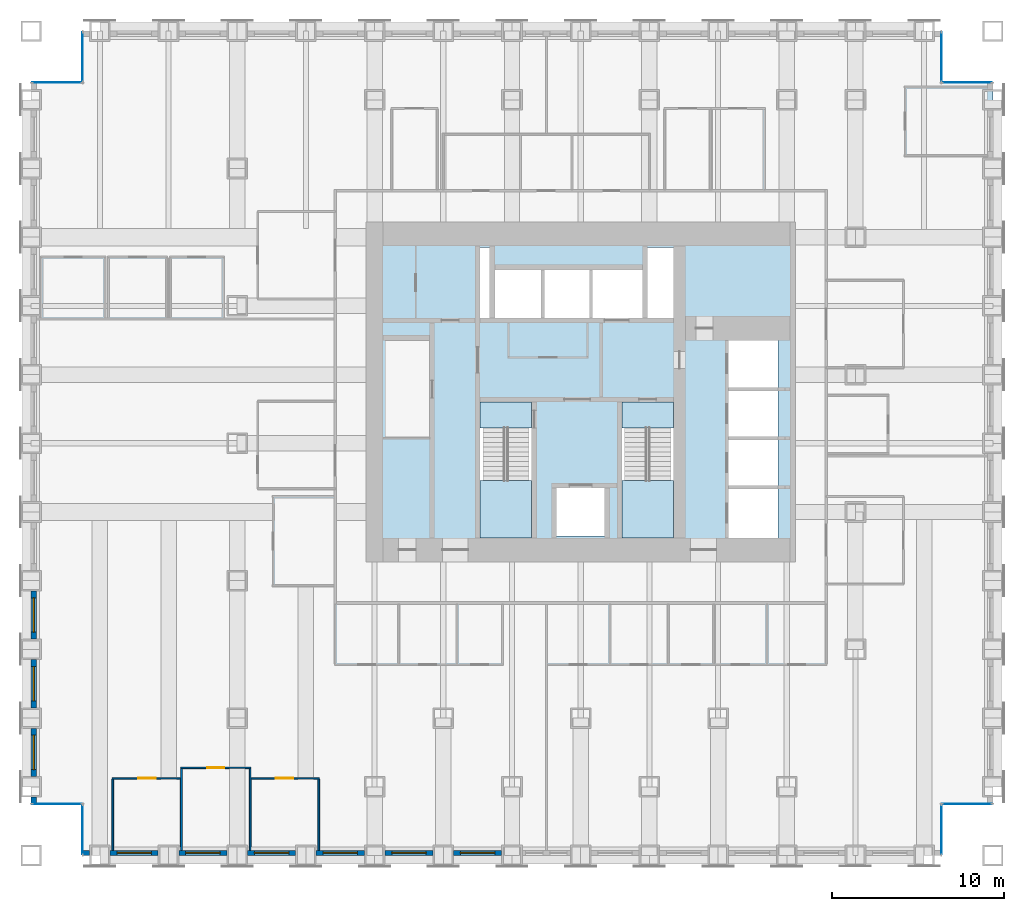
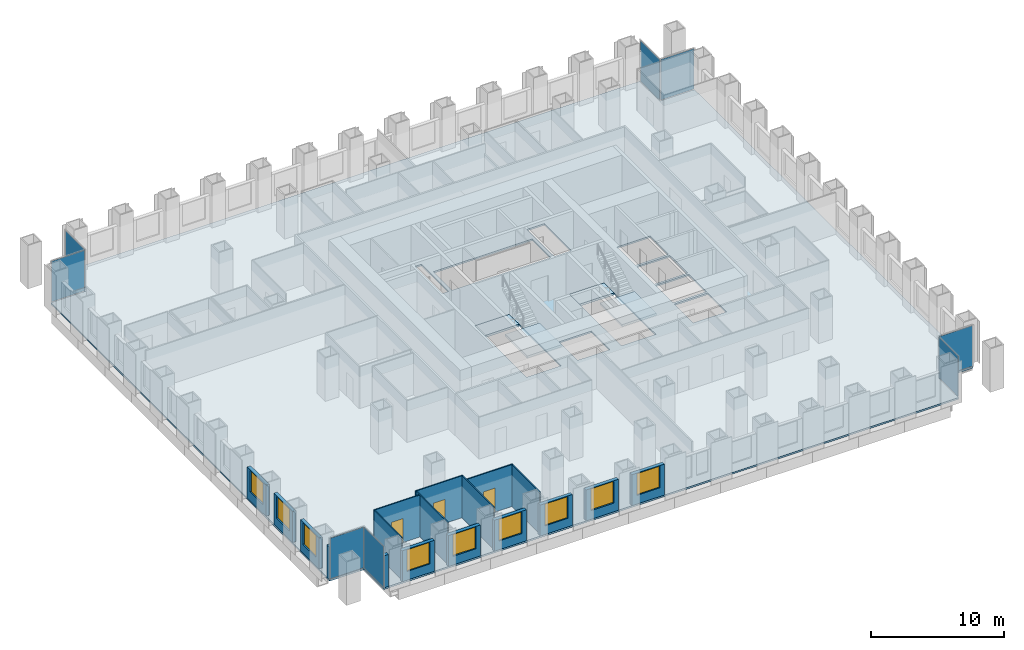
# One storey, part 7 of 14: 18 walls, 9 windows, 8 plates, 5 slabs, 3 doors, 12 openings, 10 elements without a shape of their own.
"""IFC4 building model written with IfcOpenShell, lengths in metres."""

from ifc_helpers import new_model, si_unit, direction, frame, frame_2d, origin, origin_2d, place, context, subcontext, project, spatial, polyline, rectangle, outline, extrude, material, layer, layer_set, type_object, element, fill, aggregate, save


model = new_model("IFC4")

# Units and contexts
model_context = context("Model", 3, precision=1e-05, world=origin(), true_north=direction((0.0, 1.0)))
body_context = subcontext(model_context, "Body", "Model", "MODEL_VIEW")
ifc_project = project(units=[si_unit("LENGTHUNIT", "METRE"), si_unit("AREAUNIT", "SQUARE_METRE"), si_unit("VOLUMEUNIT", "CUBIC_METRE"), si_unit("PLANEANGLEUNIT", "RADIAN"), si_unit("MASSUNIT", "GRAM", prefix="KILO")], contexts=[model_context])

# Site, building, storey
site_placement = place(None, origin())
site = spatial("IfcSite", under=ifc_project, at=site_placement, CompositionType="ELEMENT")
building_placement = place(site_placement, origin())
building = spatial("IfcBuilding", under=site, at=building_placement, Name="Rimbunsela Tower", CompositionType="ELEMENT")
storey_placement = place(building_placement, frame((0.0, 0.0, 63.0)))
storey = spatial("IfcBuildingStorey", under=building, at=storey_placement, Name="L15", CompositionType="ELEMENT", Elevation=63.0)

# Slab
ifc_material_1 = material(Name="Concrete fc' 35 MPa", Category="concrete")
ifc_layer_1 = layer(ifc_material_1, 0.14990234375)
ifc_layer_set_1 = layer_set([ifc_layer_1], Name="Floor slab 150")
slab_type_1 = type_object("IfcSlabType", Name="Floor slab 150", PredefinedType="FLOOR", material=ifc_layer_set_1)
slab_1_placement = place(storey_placement, frame((0.0, 0.0, -0.14990234375)))
element("IfcSlab", 1, at=slab_1_placement, inside=storey, type_object=slab_type_1, Name="Floor slab L15", PredefinedType="FLOOR", context=body_context, shape_type="SweptSolid", body=[
    extrude(outline(polyline([(1.0, 0.0), (51.0, 0.0), (51.0, 3.0), (54.0, 3.0), (54.0, 45.0), (51.0, 45.0), (51.0, 48.0), (1.0, 48.0), (1.0, 45.0), (-2.0, 45.0), (-2.0, 3.0), (1.0, 3.0), (1.0, 0.0)]), holes=[polyline([(27.14990234375, 18.60009765625), (27.14990234375, 26.39990234375), (24.14990234375, 26.39990234375), (24.14990234375, 18.60009765625), (27.14990234375, 18.60009765625)]), polyline([(24.699951171875, 31.300048828125), (24.699951171875, 35.39990234375), (24.14990234375, 35.39990234375), (24.14990234375, 31.300048828125), (24.699951171875, 31.300048828125)]), polyline([(25.0, 34.10009765625), (25.0, 31.300048828125), (33.60009765625, 31.300048828125), (33.60009765625, 34.10009765625), (25.0, 34.10009765625)]), polyline([(31.39990234375, 21.39990234375), (28.60009765625, 21.39990234375), (28.60009765625, 18.60009765625), (31.39990234375, 18.60009765625), (31.39990234375, 21.39990234375)]), polyline([(35.39990234375, 18.60009765625), (35.39990234375, 26.39990234375), (32.39990234375, 26.39990234375), (32.39990234375, 18.60009765625), (35.39990234375, 18.60009765625)]), polyline([(35.39990234375, 31.300048828125), (35.39990234375, 35.39990234375), (33.89990234375, 35.39990234375), (33.89990234375, 31.300048828125), (35.39990234375, 31.300048828125)]), polyline([(41.5, 21.35009765625), (38.60009765625, 21.35009765625), (38.60009765625, 18.5), (41.5, 18.5), (41.5, 21.35009765625)]), polyline([(41.5, 21.550048828125), (41.5, 24.199951171875), (38.60009765625, 24.199951171875), (38.60009765625, 21.550048828125), (41.5, 21.550048828125)]), polyline([(41.5, 27.050048828125), (38.60009765625, 27.050048828125), (38.60009765625, 24.39990234375), (41.5, 24.39990234375), (41.5, 27.050048828125)]), polyline([(41.5, 27.25), (41.5, 30.0), (38.60009765625, 30.0), (38.60009765625, 27.25), (41.5, 27.25)])]), origin(), (0.0, 0.0, 1.0), 0.14990234375),
])

# Curtain wall, plate
ifc_material_2 = material(Name="Aluminium curtain wall", Category="aluminium")
curtain_wall_type = type_object("IfcCurtainWallType", Name="Corner glazing", PredefinedType="USERDEFINED", material=ifc_material_2)
curtain_wall_1_placement = place(storey_placement, origin())
curtain_wall_1 = element("IfcCurtainWall", 2, at=curtain_wall_1_placement, inside=storey, type_object=curtain_wall_type, Name="Corner glazing L15", ObjectType="CORNER GLAZING", PredefinedType="USERDEFINED")
ifc_material_3 = material(Name="Clear double glazing", Category="glass")
ifc_layer_2 = layer(ifc_material_3, 0.028076171875)
ifc_layer_set_2 = layer_set([ifc_layer_2], Name="Glazed panel clear")
plate_type = type_object("IfcPlateType", Name="Glazed panel clear", PredefinedType="CURTAIN_PANEL", material=ifc_layer_set_2)
plate_1_placement = place(storey_placement, frame((51.0, 1.5, 0.06005859375), z_axis=(0.0, 0.0, 1.0), x_axis=(0.0, 1.0, 0.0)))
plate_1 = element("IfcPlate", 3, at=plate_1_placement, type_object=plate_type, Name="CW5 panel 1.1", PredefinedType="CURTAIN_PANEL", context=body_context, shape_type="SweptSolid", body=[
    extrude(rectangle(XDim=2.8798828125, YDim=0.028076171875, at=origin_2d()), origin(), (0.0, 0.0, 1.0), 3.72998046875),
])
aggregate(curtain_wall_1, [plate_1])

curtain_wall_2_placement = place(storey_placement, origin())
curtain_wall_2 = element("IfcCurtainWall", 4, at=curtain_wall_2_placement, inside=storey, type_object=curtain_wall_type, Name="Corner glazing L15", ObjectType="CORNER GLAZING", PredefinedType="USERDEFINED")
plate_2_placement = place(storey_placement, frame((52.5, 3.0, 0.06005859375), z_axis=(0.0, 0.0, 1.0), x_axis=(1.0, 0.0, 0.0)))
plate_2 = element("IfcPlate", 5, at=plate_2_placement, type_object=plate_type, Name="CW5 panel 1.1", PredefinedType="CURTAIN_PANEL", context=body_context, shape_type="SweptSolid", body=[
    extrude(rectangle(XDim=2.8798828125, YDim=0.028076171875, at=origin_2d()), origin(), (0.0, 0.0, 1.0), 3.72998046875),
])
aggregate(curtain_wall_2, [plate_2])

curtain_wall_3_placement = place(storey_placement, origin())
curtain_wall_3 = element("IfcCurtainWall", 6, at=curtain_wall_3_placement, inside=storey, type_object=curtain_wall_type, Name="Corner glazing L15", ObjectType="CORNER GLAZING", PredefinedType="USERDEFINED")
plate_3_placement = place(storey_placement, frame((52.5, 45.0, 0.06005859375), z_axis=(0.0, 0.0, 1.0), x_axis=(-1.0, 0.0, 0.0)))
plate_3 = element("IfcPlate", 7, at=plate_3_placement, type_object=plate_type, Name="CW5 panel 1.1", PredefinedType="CURTAIN_PANEL", context=body_context, shape_type="SweptSolid", body=[
    extrude(rectangle(XDim=2.8798828125, YDim=0.028076171875, at=origin_2d()), origin(), (0.0, 0.0, 1.0), 3.72998046875),
])
aggregate(curtain_wall_3, [plate_3])

curtain_wall_4_placement = place(storey_placement, origin())
curtain_wall_4 = element("IfcCurtainWall", 8, at=curtain_wall_4_placement, inside=storey, type_object=curtain_wall_type, Name="Corner glazing L15", ObjectType="CORNER GLAZING", PredefinedType="USERDEFINED")
plate_4_placement = place(storey_placement, frame((51.0, 46.5, 0.06005859375), z_axis=(0.0, 0.0, 1.0), x_axis=(0.0, 1.0, 0.0)))
plate_4 = element("IfcPlate", 9, at=plate_4_placement, type_object=plate_type, Name="CW5 panel 1.1", PredefinedType="CURTAIN_PANEL", context=body_context, shape_type="SweptSolid", body=[
    extrude(rectangle(XDim=2.8798828125, YDim=0.028076171875, at=origin_2d()), origin(), (0.0, 0.0, 1.0), 3.72998046875),
])
aggregate(curtain_wall_4, [plate_4])

curtain_wall_5_placement = place(storey_placement, origin())
curtain_wall_5 = element("IfcCurtainWall", 10, at=curtain_wall_5_placement, inside=storey, type_object=curtain_wall_type, Name="Corner glazing L15", ObjectType="CORNER GLAZING", PredefinedType="USERDEFINED")
plate_5_placement = place(storey_placement, frame((1.0, 46.5, 0.06005859375), z_axis=(0.0, 0.0, 1.0), x_axis=(0.0, -1.0, 0.0)))
plate_5 = element("IfcPlate", 11, at=plate_5_placement, type_object=plate_type, Name="CW5 panel 1.1", PredefinedType="CURTAIN_PANEL", context=body_context, shape_type="SweptSolid", body=[
    extrude(rectangle(XDim=2.8798828125, YDim=0.028076171875, at=origin_2d()), origin(), (0.0, 0.0, 1.0), 3.72998046875),
])
aggregate(curtain_wall_5, [plate_5])

curtain_wall_6_placement = place(storey_placement, origin())
curtain_wall_6 = element("IfcCurtainWall", 12, at=curtain_wall_6_placement, inside=storey, type_object=curtain_wall_type, Name="Corner glazing L15", ObjectType="CORNER GLAZING", PredefinedType="USERDEFINED")
plate_6_placement = place(storey_placement, frame((-0.5, 45.0, 0.06005859375), z_axis=(0.0, 0.0, 1.0), x_axis=(-1.0, 0.0, 0.0)))
plate_6 = element("IfcPlate", 13, at=plate_6_placement, type_object=plate_type, Name="CW5 panel 1.1", PredefinedType="CURTAIN_PANEL", context=body_context, shape_type="SweptSolid", body=[
    extrude(rectangle(XDim=2.8798828125, YDim=0.028076171875, at=origin_2d()), origin(), (0.0, 0.0, 1.0), 3.72998046875),
])
aggregate(curtain_wall_6, [plate_6])

curtain_wall_7_placement = place(storey_placement, origin())
curtain_wall_7 = element("IfcCurtainWall", 14, at=curtain_wall_7_placement, inside=storey, type_object=curtain_wall_type, Name="Corner glazing L15", ObjectType="CORNER GLAZING", PredefinedType="USERDEFINED")
plate_7_placement = place(storey_placement, frame((-0.5, 3.0, 0.06005859375), z_axis=(0.0, 0.0, 1.0), x_axis=(1.0, 0.0, 0.0)))
plate_7 = element("IfcPlate", 15, at=plate_7_placement, type_object=plate_type, Name="CW5 panel 1.1", PredefinedType="CURTAIN_PANEL", context=body_context, shape_type="SweptSolid", body=[
    extrude(rectangle(XDim=2.8798828125, YDim=0.028076171875, at=origin_2d()), origin(), (0.0, 0.0, 1.0), 3.72998046875),
])
aggregate(curtain_wall_7, [plate_7])

curtain_wall_8_placement = place(storey_placement, origin())
curtain_wall_8 = element("IfcCurtainWall", 16, at=curtain_wall_8_placement, inside=storey, type_object=curtain_wall_type, Name="Corner glazing L15", ObjectType="CORNER GLAZING", PredefinedType="USERDEFINED")
plate_8_placement = place(storey_placement, frame((1.0, 1.5, 0.06005859375), z_axis=(0.0, 0.0, 1.0), x_axis=(0.0, -1.0, 0.0)))
plate_8 = element("IfcPlate", 17, at=plate_8_placement, type_object=plate_type, Name="CW5 panel 1.1", PredefinedType="CURTAIN_PANEL", context=body_context, shape_type="SweptSolid", body=[
    extrude(rectangle(XDim=2.8798828125, YDim=0.028076171875, at=origin_2d()), origin(), (0.0, 0.0, 1.0), 3.72998046875),
])
aggregate(curtain_wall_8, [plate_8])

# Stair, slabs
ifc_material_4 = material(Name="Concrete fc' 35 MPa", Category="concrete")
stair_type = type_object("IfcStairType", Name="Exit stair 24 risers", PredefinedType="HALF_TURN_STAIR", material=ifc_material_4)
stair_1_placement = place(storey_placement, origin())
stair_1 = element("IfcStair", 18, at=stair_1_placement, inside=storey, type_object=stair_type, Name="Exit stair A L15", PredefinedType="HALF_TURN_STAIR")
ifc_material_5 = material(Name="Concrete fc' 35 MPa", Category="concrete")
ifc_layer_3 = layer(ifc_material_5, 0.199951171875)
ifc_layer_set_3 = layer_set([ifc_layer_3], Name="Stair landing 200")
slab_type_2 = type_object("IfcSlabType", Name="Stair landing 200", PredefinedType="LANDING", material=ifc_layer_set_3)
slab_2_placement = place(storey_placement, frame((0.0, 0.0, -0.199951171875)))
slab_2 = element("IfcSlab", 19, at=slab_2_placement, type_object=slab_type_2, Name="ST-A landing 1", PredefinedType="LANDING", context=body_context, shape_type="SweptSolid", body=[
    extrude(outline(polyline([(24.14990234375, 24.89990234375), (27.14990234375, 24.89990234375), (27.14990234375, 26.39990234375), (24.14990234375, 26.39990234375), (24.14990234375, 24.89990234375)])), origin(), (0.0, 0.0, 1.0), 0.199951171875),
])
slab_3_placement = place(storey_placement, frame((0.0, 0.0, 1.800048828125)))
slab_3 = element("IfcSlab", 20, at=slab_3_placement, type_object=slab_type_2, Name="ST-A landing 2", PredefinedType="LANDING", context=body_context, shape_type="SweptSolid", body=[
    extrude(outline(polyline([(24.14990234375, 18.5), (27.14990234375, 18.5), (27.14990234375, 21.820068359375), (24.14990234375, 21.820068359375), (24.14990234375, 18.5)])), origin(), (0.0, 0.0, 1.0), 0.199951171875),
])
aggregate(stair_1, [slab_2, slab_3])

stair_2_placement = place(storey_placement, origin())
stair_2 = element("IfcStair", 21, at=stair_2_placement, inside=storey, type_object=stair_type, Name="Exit stair B L15", PredefinedType="HALF_TURN_STAIR")
slab_4_placement = place(storey_placement, frame((0.0, 0.0, -0.199951171875)))
slab_4 = element("IfcSlab", 22, at=slab_4_placement, type_object=slab_type_2, Name="ST-B landing 1", PredefinedType="LANDING", context=body_context, shape_type="SweptSolid", body=[
    extrude(outline(polyline([(32.39990234375, 24.89990234375), (35.39990234375, 24.89990234375), (35.39990234375, 26.39990234375), (32.39990234375, 26.39990234375), (32.39990234375, 24.89990234375)])), origin(), (0.0, 0.0, 1.0), 0.199951171875),
])
slab_5_placement = place(storey_placement, frame((0.0, 0.0, 1.800048828125)))
slab_5 = element("IfcSlab", 23, at=slab_5_placement, type_object=slab_type_2, Name="ST-B landing 2", PredefinedType="LANDING", context=body_context, shape_type="SweptSolid", body=[
    extrude(outline(polyline([(32.39990234375, 18.5), (35.39990234375, 18.5), (35.39990234375, 21.820068359375), (32.39990234375, 21.820068359375), (32.39990234375, 18.5)])), origin(), (0.0, 0.0, 1.0), 0.199951171875),
])
aggregate(stair_2, [slab_4, slab_5])

# Wall, opening, door
ifc_material_6 = material(Name="Gypsum board on steel studs", Category="steel")
ifc_layer_4 = layer(ifc_material_6, 0.10009765625)
ifc_layer_set_4 = layer_set([ifc_layer_4], Name="Office partition 100")
wall_type_1 = type_object("IfcWallType", Name="Office partition 100", PredefinedType="PARTITIONING", material=ifc_layer_set_4)
wall_1_placement = place(storey_placement, frame((2.699951171875, 4.5, 0.0), z_axis=(0.0, 0.0, 1.0), x_axis=(1.0, 0.0, 0.0)))
wall_1 = element("IfcWall", 24, at=wall_1_placement, inside=storey, type_object=wall_type_1, Name="Office partition", PredefinedType="PARTITIONING", context=body_context, shape_type="SweptSolid", body=[
    extrude(rectangle(XDim=4.0, YDim=0.10009765625, at=frame_2d((2.0, 0.0))), origin(), (0.0, 0.0, 1.0), 3.85009765625),
])
opening_1_placement = place(wall_1_placement, frame((1.550048828125, 0.0, 0.0)))
opening_1 = element("IfcOpeningElement", 25, at=opening_1_placement, cuts=wall_1, Name="Opening D16", PredefinedType="OPENING", context=body_context, shape_type="SweptSolid", body=[
    extrude(rectangle(XDim=1.0, YDim=2.199951171875, at=frame_2d((0.5, 1.10009765625))), frame((0.0, 0.06005859375, 0.0), z_axis=(0.0, -1.0, 0.0), x_axis=(1.0, 0.0, 0.0)), (0.0, 0.0, 1.0), 0.1201171875),
])
ifc_material_7 = material(Name="Timber door", Category="wood")
door_type_1 = type_object("IfcDoorType", Name="Office door 1000", OperationType="SINGLE_SWING_LEFT", PredefinedType="DOOR", material=ifc_material_7)
door_1_placement = place(opening_1_placement, origin())
door_1 = element("IfcDoor", 26, at=door_1_placement, inside=storey, type_object=door_type_1, Name="Office door", OperationType="SINGLE_SWING_LEFT", OverallHeight=2.199951171875, OverallWidth=1.0, PredefinedType="DOOR", context=body_context, shape_type="SweptSolid", body=[
    extrude(rectangle(XDim=1.0, YDim=2.199951171875, at=frame_2d((0.5, 1.10009765625))), frame((0.0, 0.02490234375, 0.0), z_axis=(0.0, -1.0, 0.0), x_axis=(1.0, 0.0, 0.0)), (0.0, 0.0, 1.0), 0.050048828125),
])
fill(opening_1, door_1)

wall_2_placement = place(storey_placement, frame((10.800048828125, 4.5, 0.0), z_axis=(0.0, 0.0, 1.0), x_axis=(1.0, 0.0, 0.0)))
wall_2 = element("IfcWall", 27, at=wall_2_placement, inside=storey, type_object=wall_type_1, Name="Office partition", PredefinedType="PARTITIONING", context=body_context, shape_type="SweptSolid", body=[
    extrude(rectangle(XDim=4.0, YDim=0.10009765625, at=frame_2d((2.0, 0.0))), origin(), (0.0, 0.0, 1.0), 3.85009765625),
])
opening_2_placement = place(wall_2_placement, frame((1.449951171875, 0.0, 0.0)))
opening_2 = element("IfcOpeningElement", 28, at=opening_2_placement, cuts=wall_2, Name="Opening D16", PredefinedType="OPENING", context=body_context, shape_type="SweptSolid", body=[
    extrude(rectangle(XDim=1.0, YDim=2.199951171875, at=frame_2d((0.5, 1.10009765625))), frame((0.0, 0.06005859375, 0.0), z_axis=(0.0, -1.0, 0.0), x_axis=(1.0, 0.0, 0.0)), (0.0, 0.0, 1.0), 0.1201171875),
])
door_2_placement = place(opening_2_placement, origin())
door_2 = element("IfcDoor", 29, at=door_2_placement, inside=storey, type_object=door_type_1, Name="Office door", OperationType="SINGLE_SWING_LEFT", OverallHeight=2.199951171875, OverallWidth=1.0, PredefinedType="DOOR", context=body_context, shape_type="SweptSolid", body=[
    extrude(rectangle(XDim=1.0, YDim=2.199951171875, at=frame_2d((0.5, 1.10009765625))), frame((0.0, 0.02490234375, 0.0), z_axis=(0.0, -1.0, 0.0), x_axis=(1.0, 0.0, 0.0)), (0.0, 0.0, 1.0), 0.050048828125),
])
fill(opening_2, door_2)

wall_3_placement = place(storey_placement, frame((6.699951171875, 5.10009765625, 0.0), z_axis=(0.0, 0.0, 1.0), x_axis=(1.0, 0.0, 0.0)))
wall_3 = element("IfcWall", 30, at=wall_3_placement, inside=storey, type_object=wall_type_1, Name="Office partition", PredefinedType="PARTITIONING", context=body_context, shape_type="SweptSolid", body=[
    extrude(rectangle(XDim=4.10009765625, YDim=0.10009765625, at=frame_2d((2.050048828125, 0.0))), origin(), (0.0, 0.0, 1.0), 3.85009765625),
])
opening_3_placement = place(wall_3_placement, frame((1.550048828125, 0.0, 0.0)))
opening_3 = element("IfcOpeningElement", 31, at=opening_3_placement, cuts=wall_3, Name="Opening D17", PredefinedType="OPENING", context=body_context, shape_type="SweptSolid", body=[
    extrude(rectangle(XDim=1.0, YDim=2.199951171875, at=frame_2d((0.5, 1.10009765625))), frame((0.0, 0.06005859375, 0.0), z_axis=(0.0, -1.0, 0.0), x_axis=(1.0, 0.0, 0.0)), (0.0, 0.0, 1.0), 0.1201171875),
])
ifc_material_8 = material(Name="Glazed aluminium door", Category="aluminium")
door_type_2 = type_object("IfcDoorType", Name="Meeting room door 1000 glazed", OperationType="SINGLE_SWING_RIGHT", PredefinedType="DOOR", material=ifc_material_8)
door_3_placement = place(opening_3_placement, origin())
door_3 = element("IfcDoor", 32, at=door_3_placement, inside=storey, type_object=door_type_2, Name="Meeting room door", OperationType="SINGLE_SWING_RIGHT", OverallHeight=2.199951171875, OverallWidth=1.0, PredefinedType="DOOR", context=body_context, shape_type="SweptSolid", body=[
    extrude(rectangle(XDim=1.0, YDim=2.199951171875, at=frame_2d((0.5, 1.10009765625))), frame((0.0, 0.02490234375, 0.0), z_axis=(0.0, -1.0, 0.0), x_axis=(1.0, 0.0, 0.0)), (0.0, 0.0, 1.0), 0.050048828125),
])
fill(opening_3, door_3)

# Walls
wall_4_placement = place(storey_placement, frame((2.75, 0.300048828125, 0.0), z_axis=(0.0, 0.0, 1.0), x_axis=(0.0, 1.0, 0.0)))
element("IfcWall", 33, at=wall_4_placement, inside=storey, type_object=wall_type_1, Name="Office partition", PredefinedType="PARTITIONING", context=body_context, shape_type="SweptSolid", body=[
    extrude(rectangle(XDim=4.14990234375, YDim=0.10009765625, at=frame_2d((2.074951171875, 0.0))), origin(), (0.0, 0.0, 1.0), 3.85009765625),
])
for number, where, z_axis, x_axis, name in (
    (34, (6.75, 0.300048828125, 0.0), (0.0, 0.0, 1.0), (0.0, 1.0, 0.0), "Office partition"),
    (35, (10.75, 0.300048828125, 0.0), (0.0, 0.0, 1.0), (0.0, 1.0, 0.0), "Office partition"),
):
    element("IfcWall", number, at=place(storey_placement, frame(where, z_axis=z_axis, x_axis=x_axis)), inside=storey, type_object=wall_type_1, Name=name, PredefinedType="PARTITIONING", context=body_context, shape_type="SweptSolid", body=[
        extrude(rectangle(XDim=4.75, YDim=0.10009765625, at=frame_2d((2.375, 0.0))), origin(), (0.0, 0.0, 1.0), 3.85009765625),
    ])
wall_5_placement = place(storey_placement, frame((14.75, 0.300048828125, 0.0), z_axis=(0.0, 0.0, 1.0), x_axis=(0.0, 1.0, 0.0)))
element("IfcWall", 36, at=wall_5_placement, inside=storey, type_object=wall_type_1, Name="Office partition", PredefinedType="PARTITIONING", context=body_context, shape_type="SweptSolid", body=[
    extrude(rectangle(XDim=4.14990234375, YDim=0.10009765625, at=frame_2d((2.074951171875, 0.0))), origin(), (0.0, 0.0, 1.0), 3.85009765625),
])
ifc_material_9 = material(Name="Precast concrete fc' 35 MPa", Category="concrete")
ifc_layer_5 = layer(ifc_material_9, 0.300048828125)
ifc_layer_set_5 = layer_set([ifc_layer_5], Name="Precast concrete fc' 35 MPa")
wall_type_2 = type_object("IfcWallType", Name="Precast facade panel 300", PredefinedType="ELEMENTEDWALL", material=ifc_layer_set_5)
wall_6_placement = place(storey_placement, frame((1.030029296875, 0.14990234375, 0.0), z_axis=(0.0, 0.0, 1.0), x_axis=(1.0, 0.0, 0.0)))
element("IfcWall", 37, at=wall_6_placement, inside=storey, type_object=wall_type_2, Name="Facade panel S L15", PredefinedType="ELEMENTEDWALL", context=body_context, shape_type="SweptSolid", body=[
    extrude(rectangle(XDim=0.369873046875, YDim=0.300048828125, at=frame_2d((0.18505859375, 0.0))), origin(), (0.0, 0.0, 1.0), 2.949951171875),
])

# Wall, opening, window
wall_7_placement = place(storey_placement, frame((2.60009765625, 0.14990234375, 0.0), z_axis=(0.0, 0.0, 1.0), x_axis=(1.0, 0.0, 0.0)))
wall_7 = element("IfcWall", 38, at=wall_7_placement, inside=storey, type_object=wall_type_2, Name="Facade panel S L15", PredefinedType="ELEMENTEDWALL", context=body_context, shape_type="SweptSolid", body=[
    extrude(rectangle(XDim=2.7998046875, YDim=0.300048828125, at=frame_2d((1.39990234375, 0.0))), origin(), (0.0, 0.0, 1.0), 2.85009765625),
])
opening_4_placement = place(wall_7_placement, frame((0.39990234375, 0.0, 0.800048828125)))
opening_4 = element("IfcOpeningElement", 39, at=opening_4_placement, cuts=wall_7, Name="Opening W1", PredefinedType="OPENING", context=body_context, shape_type="SweptSolid", body=[
    extrude(rectangle(XDim=2.0, YDim=2.0, at=frame_2d((1.0, 1.0))), frame((0.0, 0.159912109375, 0.0), z_axis=(0.0, -1.0, 0.0), x_axis=(1.0, 0.0, 0.0)), (0.0, 0.0, 1.0), 0.320068359375),
])
ifc_material_10 = material(Name="Clear glass in aluminium frame", Category="aluminium")
window_type = type_object("IfcWindowType", Name="Window W1 2000x2000", PartitioningType="DOUBLE_PANEL_VERTICAL", PredefinedType="WINDOW", material=ifc_material_10)
window_1_placement = place(opening_4_placement, origin())
window_1 = element("IfcWindow", 40, at=window_1_placement, inside=storey, type_object=window_type, Name="Window L15", OverallHeight=2.0, OverallWidth=2.0, PartitioningType="SINGLE_PANEL", PredefinedType="WINDOW", context=body_context, shape_type="SweptSolid", body=[
    extrude(rectangle(XDim=2.0, YDim=2.0, at=frame_2d((1.0, 1.0))), frame((0.0, 0.030029296875, 0.0), z_axis=(0.0, -1.0, 0.0), x_axis=(1.0, 0.0, 0.0)), (0.0, 0.0, 1.0), 0.06005859375),
])
fill(opening_4, window_1)

wall_8_placement = place(storey_placement, frame((6.60009765625, 0.14990234375, 0.0), z_axis=(0.0, 0.0, 1.0), x_axis=(1.0, 0.0, 0.0)))
wall_8 = element("IfcWall", 41, at=wall_8_placement, inside=storey, type_object=wall_type_2, Name="Facade panel S L15", PredefinedType="ELEMENTEDWALL", context=body_context, shape_type="SweptSolid", body=[
    extrude(rectangle(XDim=2.7998046875, YDim=0.300048828125, at=frame_2d((1.39990234375, 0.0))), origin(), (0.0, 0.0, 1.0), 2.85009765625),
])
opening_5_placement = place(wall_8_placement, frame((0.39990234375, 0.0, 0.800048828125)))
opening_5 = element("IfcOpeningElement", 42, at=opening_5_placement, cuts=wall_8, Name="Opening W1", PredefinedType="OPENING", context=body_context, shape_type="SweptSolid", body=[
    extrude(rectangle(XDim=2.0, YDim=2.0, at=frame_2d((1.0, 1.0))), frame((0.0, 0.159912109375, 0.0), z_axis=(0.0, -1.0, 0.0), x_axis=(1.0, 0.0, 0.0)), (0.0, 0.0, 1.0), 0.320068359375),
])
window_2_placement = place(opening_5_placement, origin())
window_2 = element("IfcWindow", 43, at=window_2_placement, inside=storey, type_object=window_type, Name="Window L15", OverallHeight=2.0, OverallWidth=2.0, PartitioningType="SINGLE_PANEL", PredefinedType="WINDOW", context=body_context, shape_type="SweptSolid", body=[
    extrude(rectangle(XDim=2.0, YDim=2.0, at=frame_2d((1.0, 1.0))), frame((0.0, 0.030029296875, 0.0), z_axis=(0.0, -1.0, 0.0), x_axis=(1.0, 0.0, 0.0)), (0.0, 0.0, 1.0), 0.06005859375),
])
fill(opening_5, window_2)

wall_9_placement = place(storey_placement, frame((10.60009765625, 0.14990234375, 0.0), z_axis=(0.0, 0.0, 1.0), x_axis=(1.0, 0.0, 0.0)))
wall_9 = element("IfcWall", 44, at=wall_9_placement, inside=storey, type_object=wall_type_2, Name="Facade panel S L15", PredefinedType="ELEMENTEDWALL", context=body_context, shape_type="SweptSolid", body=[
    extrude(rectangle(XDim=2.7998046875, YDim=0.300048828125, at=frame_2d((1.39990234375, 0.0))), origin(), (0.0, 0.0, 1.0), 2.85009765625),
])
opening_6_placement = place(wall_9_placement, frame((0.39990234375, 0.0, 0.800048828125)))
opening_6 = element("IfcOpeningElement", 45, at=opening_6_placement, cuts=wall_9, Name="Opening W1", PredefinedType="OPENING", context=body_context, shape_type="SweptSolid", body=[
    extrude(rectangle(XDim=2.0, YDim=2.0, at=frame_2d((1.0, 1.0))), frame((0.0, 0.159912109375, 0.0), z_axis=(0.0, -1.0, 0.0), x_axis=(1.0, 0.0, 0.0)), (0.0, 0.0, 1.0), 0.320068359375),
])
window_3_placement = place(opening_6_placement, origin())
window_3 = element("IfcWindow", 46, at=window_3_placement, inside=storey, type_object=window_type, Name="Window L15", OverallHeight=2.0, OverallWidth=2.0, PartitioningType="SINGLE_PANEL", PredefinedType="WINDOW", context=body_context, shape_type="SweptSolid", body=[
    extrude(rectangle(XDim=2.0, YDim=2.0, at=frame_2d((1.0, 1.0))), frame((0.0, 0.030029296875, 0.0), z_axis=(0.0, -1.0, 0.0), x_axis=(1.0, 0.0, 0.0)), (0.0, 0.0, 1.0), 0.06005859375),
])
fill(opening_6, window_3)

wall_10_placement = place(storey_placement, frame((14.60009765625, 0.14990234375, 0.0), z_axis=(0.0, 0.0, 1.0), x_axis=(1.0, 0.0, 0.0)))
wall_10 = element("IfcWall", 47, at=wall_10_placement, inside=storey, type_object=wall_type_2, Name="Facade panel S L15", PredefinedType="ELEMENTEDWALL", context=body_context, shape_type="SweptSolid", body=[
    extrude(rectangle(XDim=2.7998046875, YDim=0.300048828125, at=frame_2d((1.39990234375, 0.0))), origin(), (0.0, 0.0, 1.0), 2.85009765625),
])
opening_7_placement = place(wall_10_placement, frame((0.39990234375, 0.0, 0.800048828125)))
opening_7 = element("IfcOpeningElement", 48, at=opening_7_placement, cuts=wall_10, Name="Opening W1", PredefinedType="OPENING", context=body_context, shape_type="SweptSolid", body=[
    extrude(rectangle(XDim=2.0, YDim=2.0, at=frame_2d((1.0, 1.0))), frame((0.0, 0.159912109375, 0.0), z_axis=(0.0, -1.0, 0.0), x_axis=(1.0, 0.0, 0.0)), (0.0, 0.0, 1.0), 0.320068359375),
])
window_4_placement = place(opening_7_placement, origin())
window_4 = element("IfcWindow", 49, at=window_4_placement, inside=storey, type_object=window_type, Name="Window L15", OverallHeight=2.0, OverallWidth=2.0, PartitioningType="SINGLE_PANEL", PredefinedType="WINDOW", context=body_context, shape_type="SweptSolid", body=[
    extrude(rectangle(XDim=2.0, YDim=2.0, at=frame_2d((1.0, 1.0))), frame((0.0, 0.030029296875, 0.0), z_axis=(0.0, -1.0, 0.0), x_axis=(1.0, 0.0, 0.0)), (0.0, 0.0, 1.0), 0.06005859375),
])
fill(opening_7, window_4)

wall_11_placement = place(storey_placement, frame((18.60009765625, 0.14990234375, 0.0), z_axis=(0.0, 0.0, 1.0), x_axis=(1.0, 0.0, 0.0)))
wall_11 = element("IfcWall", 50, at=wall_11_placement, inside=storey, type_object=wall_type_2, Name="Facade panel S L15", PredefinedType="ELEMENTEDWALL", context=body_context, shape_type="SweptSolid", body=[
    extrude(rectangle(XDim=2.7998046875, YDim=0.300048828125, at=frame_2d((1.39990234375, 0.0))), origin(), (0.0, 0.0, 1.0), 2.85009765625),
])
opening_8_placement = place(wall_11_placement, frame((0.39990234375, 0.0, 0.800048828125)))
opening_8 = element("IfcOpeningElement", 51, at=opening_8_placement, cuts=wall_11, Name="Opening W1", PredefinedType="OPENING", context=body_context, shape_type="SweptSolid", body=[
    extrude(rectangle(XDim=2.0, YDim=2.0, at=frame_2d((1.0, 1.0))), frame((0.0, 0.159912109375, 0.0), z_axis=(0.0, -1.0, 0.0), x_axis=(1.0, 0.0, 0.0)), (0.0, 0.0, 1.0), 0.320068359375),
])
window_5_placement = place(opening_8_placement, origin())
window_5 = element("IfcWindow", 52, at=window_5_placement, inside=storey, type_object=window_type, Name="Window L15", OverallHeight=2.0, OverallWidth=2.0, PartitioningType="SINGLE_PANEL", PredefinedType="WINDOW", context=body_context, shape_type="SweptSolid", body=[
    extrude(rectangle(XDim=2.0, YDim=2.0, at=frame_2d((1.0, 1.0))), frame((0.0, 0.030029296875, 0.0), z_axis=(0.0, -1.0, 0.0), x_axis=(1.0, 0.0, 0.0)), (0.0, 0.0, 1.0), 0.06005859375),
])
fill(opening_8, window_5)

wall_12_placement = place(storey_placement, frame((22.60009765625, 0.14990234375, 0.0), z_axis=(0.0, 0.0, 1.0), x_axis=(1.0, 0.0, 0.0)))
wall_12 = element("IfcWall", 53, at=wall_12_placement, inside=storey, type_object=wall_type_2, Name="Facade panel S L15", PredefinedType="ELEMENTEDWALL", context=body_context, shape_type="SweptSolid", body=[
    extrude(rectangle(XDim=2.7998046875, YDim=0.300048828125, at=frame_2d((1.39990234375, 0.0))), origin(), (0.0, 0.0, 1.0), 2.85009765625),
])
opening_9_placement = place(wall_12_placement, frame((0.39990234375, 0.0, 0.800048828125)))
opening_9 = element("IfcOpeningElement", 54, at=opening_9_placement, cuts=wall_12, Name="Opening W1", PredefinedType="OPENING", context=body_context, shape_type="SweptSolid", body=[
    extrude(rectangle(XDim=2.0, YDim=2.0, at=frame_2d((1.0, 1.0))), frame((0.0, 0.159912109375, 0.0), z_axis=(0.0, -1.0, 0.0), x_axis=(1.0, 0.0, 0.0)), (0.0, 0.0, 1.0), 0.320068359375),
])
window_6_placement = place(opening_9_placement, origin())
window_6 = element("IfcWindow", 55, at=window_6_placement, inside=storey, type_object=window_type, Name="Window L15", OverallHeight=2.0, OverallWidth=2.0, PartitioningType="SINGLE_PANEL", PredefinedType="WINDOW", context=body_context, shape_type="SweptSolid", body=[
    extrude(rectangle(XDim=2.0, YDim=2.0, at=frame_2d((1.0, 1.0))), frame((0.0, 0.030029296875, 0.0), z_axis=(0.0, -1.0, 0.0), x_axis=(1.0, 0.0, 0.0)), (0.0, 0.0, 1.0), 0.06005859375),
])
fill(opening_9, window_6)

# Wall
wall_13_placement = place(storey_placement, frame((-1.85009765625, 3.39990234375, 0.0), z_axis=(0.0, 0.0, 1.0), x_axis=(0.0, -1.0, 0.0)))
element("IfcWall", 56, at=wall_13_placement, inside=storey, type_object=wall_type_2, Name="Facade panel W L15", PredefinedType="ELEMENTEDWALL", context=body_context, shape_type="SweptSolid", body=[
    extrude(rectangle(XDim=0.369873046875, YDim=0.300048828125, at=frame_2d((0.18505859375, 0.0))), origin(), (0.0, 0.0, 1.0), 2.949951171875),
])

# Wall, opening, window
wall_14_placement = place(storey_placement, frame((-1.85009765625, 7.39990234375, 0.0), z_axis=(0.0, 0.0, 1.0), x_axis=(0.0, -1.0, 0.0)))
wall_14 = element("IfcWall", 57, at=wall_14_placement, inside=storey, type_object=wall_type_2, Name="Facade panel W L15", PredefinedType="ELEMENTEDWALL", context=body_context, shape_type="SweptSolid", body=[
    extrude(rectangle(XDim=2.7998046875, YDim=0.300048828125, at=frame_2d((1.39990234375, 0.0))), origin(), (0.0, 0.0, 1.0), 2.85009765625),
])
opening_10_placement = place(wall_14_placement, frame((0.39990234375, 0.0, 0.800048828125)))
opening_10 = element("IfcOpeningElement", 58, at=opening_10_placement, cuts=wall_14, Name="Opening W1", PredefinedType="OPENING", context=body_context, shape_type="SweptSolid", body=[
    extrude(rectangle(XDim=2.0, YDim=2.0, at=frame_2d((1.0, 1.0))), frame((0.0, 0.159912109375, 0.0), z_axis=(0.0, -1.0, 0.0), x_axis=(1.0, 0.0, 0.0)), (0.0, 0.0, 1.0), 0.320068359375),
])
window_7_placement = place(opening_10_placement, origin())
window_7 = element("IfcWindow", 59, at=window_7_placement, inside=storey, type_object=window_type, Name="Window L15", OverallHeight=2.0, OverallWidth=2.0, PartitioningType="SINGLE_PANEL", PredefinedType="WINDOW", context=body_context, shape_type="SweptSolid", body=[
    extrude(rectangle(XDim=2.0, YDim=2.0, at=frame_2d((1.0, 1.0))), frame((0.0, 0.030029296875, 0.0), z_axis=(0.0, -1.0, 0.0), x_axis=(1.0, 0.0, 0.0)), (0.0, 0.0, 1.0), 0.06005859375),
])
fill(opening_10, window_7)

wall_15_placement = place(storey_placement, frame((-1.85009765625, 11.39990234375, 0.0), z_axis=(0.0, 0.0, 1.0), x_axis=(0.0, -1.0, 0.0)))
wall_15 = element("IfcWall", 60, at=wall_15_placement, inside=storey, type_object=wall_type_2, Name="Facade panel W L15", PredefinedType="ELEMENTEDWALL", context=body_context, shape_type="SweptSolid", body=[
    extrude(rectangle(XDim=2.7998046875, YDim=0.300048828125, at=frame_2d((1.39990234375, 0.0))), origin(), (0.0, 0.0, 1.0), 2.85009765625),
])
opening_11_placement = place(wall_15_placement, frame((0.39990234375, 0.0, 0.800048828125)))
opening_11 = element("IfcOpeningElement", 61, at=opening_11_placement, cuts=wall_15, Name="Opening W1", PredefinedType="OPENING", context=body_context, shape_type="SweptSolid", body=[
    extrude(rectangle(XDim=2.0, YDim=2.0, at=frame_2d((1.0, 1.0))), frame((0.0, 0.159912109375, 0.0), z_axis=(0.0, -1.0, 0.0), x_axis=(1.0, 0.0, 0.0)), (0.0, 0.0, 1.0), 0.320068359375),
])
window_8_placement = place(opening_11_placement, origin())
window_8 = element("IfcWindow", 62, at=window_8_placement, inside=storey, type_object=window_type, Name="Window L15", OverallHeight=2.0, OverallWidth=2.0, PartitioningType="SINGLE_PANEL", PredefinedType="WINDOW", context=body_context, shape_type="SweptSolid", body=[
    extrude(rectangle(XDim=2.0, YDim=2.0, at=frame_2d((1.0, 1.0))), frame((0.0, 0.030029296875, 0.0), z_axis=(0.0, -1.0, 0.0), x_axis=(1.0, 0.0, 0.0)), (0.0, 0.0, 1.0), 0.06005859375),
])
fill(opening_11, window_8)

wall_16_placement = place(storey_placement, frame((-1.85009765625, 15.39990234375, 0.0), z_axis=(0.0, 0.0, 1.0), x_axis=(0.0, -1.0, 0.0)))
wall_16 = element("IfcWall", 63, at=wall_16_placement, inside=storey, type_object=wall_type_2, Name="Facade panel W L15", PredefinedType="ELEMENTEDWALL", context=body_context, shape_type="SweptSolid", body=[
    extrude(rectangle(XDim=2.7998046875, YDim=0.300048828125, at=frame_2d((1.39990234375, 0.0))), origin(), (0.0, 0.0, 1.0), 2.85009765625),
])
opening_12_placement = place(wall_16_placement, frame((0.39990234375, 0.0, 0.800048828125)))
opening_12 = element("IfcOpeningElement", 64, at=opening_12_placement, cuts=wall_16, Name="Opening W1", PredefinedType="OPENING", context=body_context, shape_type="SweptSolid", body=[
    extrude(rectangle(XDim=2.0, YDim=2.0, at=frame_2d((1.0, 1.0))), frame((0.0, 0.159912109375, 0.0), z_axis=(0.0, -1.0, 0.0), x_axis=(1.0, 0.0, 0.0)), (0.0, 0.0, 1.0), 0.320068359375),
])
window_9_placement = place(opening_12_placement, origin())
window_9 = element("IfcWindow", 65, at=window_9_placement, inside=storey, type_object=window_type, Name="Window L15", OverallHeight=2.0, OverallWidth=2.0, PartitioningType="SINGLE_PANEL", PredefinedType="WINDOW", context=body_context, shape_type="SweptSolid", body=[
    extrude(rectangle(XDim=2.0, YDim=2.0, at=frame_2d((1.0, 1.0))), frame((0.0, 0.030029296875, 0.0), z_axis=(0.0, -1.0, 0.0), x_axis=(1.0, 0.0, 0.0)), (0.0, 0.0, 1.0), 0.06005859375),
])
fill(opening_12, window_9)

save(model, "model.ifc")
